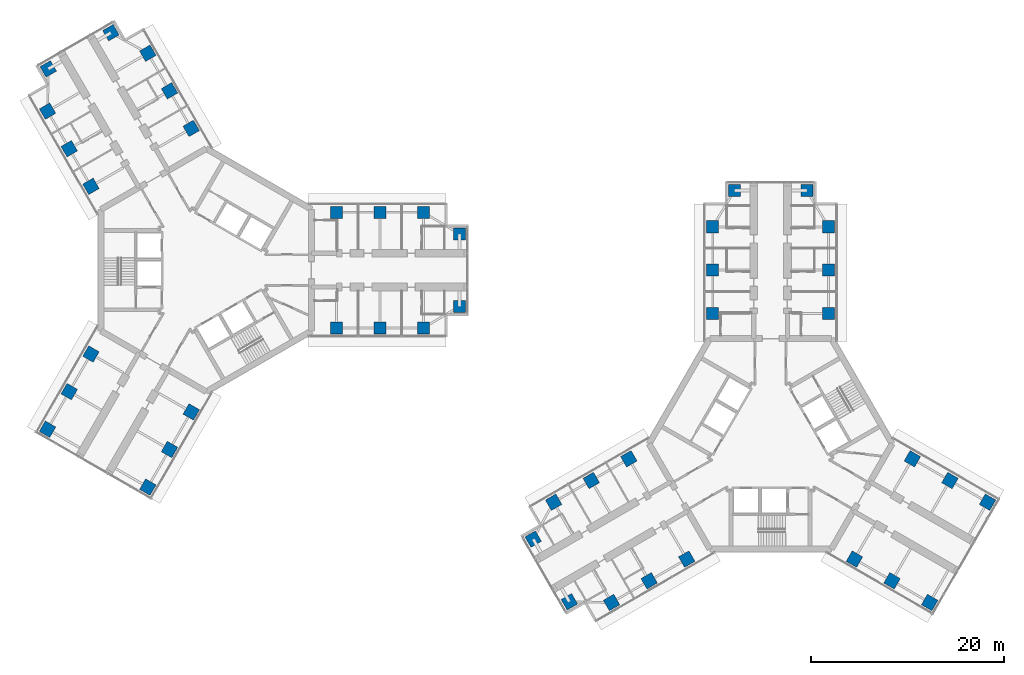
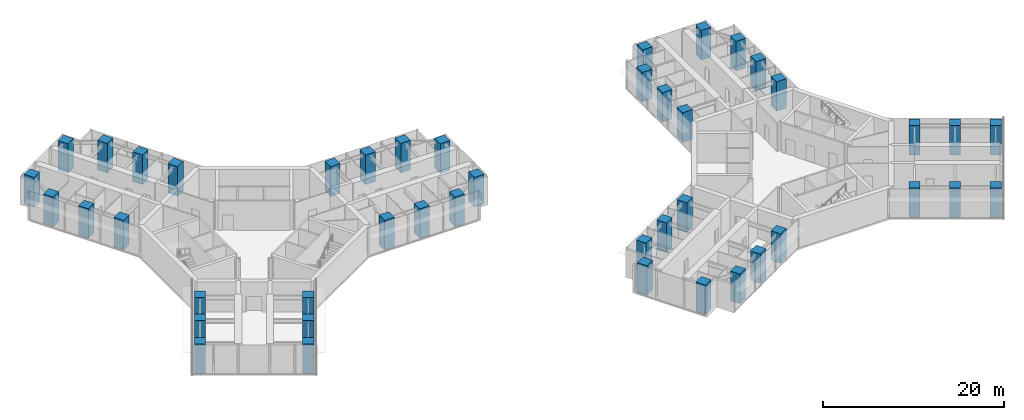
# One storey, part 1 of 23: 44 columns.
"""IFC4 building model written with IfcOpenShell, lengths in metres."""

import ifcopenshell
import ifcopenshell.guid

model = None  # the IFC model being written
_history = None  # IfcOwnerHistory: only IFC2X3 demands one
_inside = {}  # id of a spatial element -> (the spatial element, [elements in it])
_under = {}  # id of a project, library or spatial element -> (it, [spatial elements below it])
_declared = {}  # id of a project -> (the project, [libraries it declares])
_typed = {}  # id of a type object -> (the type object, [elements of that type])
_made_of = {}  # id of a material, layer set ... -> (it, [elements and type objects made of it])


def new_model(schema):
    """Start an empty IFC model of exactly this schema.

    Asked for "IFC4X3", IfcOpenShell would pick the latest addendum, in which some entities
    have other attributes; the version numbers below select the first issue.
    IFC2X3 requires an IfcOwnerHistory on every rooted entity: one is made here for all.
    """
    global model, _history
    if schema == "IFC4X3":
        model = ifcopenshell.file(schema_version=(4, 3, 0, 0))
    else:
        model = ifcopenshell.file(schema=schema)
    _inside.clear()
    _under.clear()
    _declared.clear()
    _typed.clear()
    _made_of.clear()
    _history = None
    if model.schema == "IFC2X3":
        org = make("IfcOrganization", Name="unknown")
        user = make(
            "IfcPersonAndOrganization",
            ThePerson=make("IfcPerson", FamilyName="unknown"),
            TheOrganization=org,
        )
        app = make(
            "IfcApplication",
            ApplicationDeveloper=org,
            Version="unknown",
            ApplicationFullName="unknown",
            ApplicationIdentifier="unknown",
        )
        _history = make(
            "IfcOwnerHistory",
            OwningUser=user,
            OwningApplication=app,
            ChangeAction="ADDED",
            CreationDate=0,
        )
    return model


def make(cls, **values):
    """One entity of the class cls with the attributes given. An attribute that is None is left unset."""
    return model.create_entity(
        cls, **{name: value for name, value in values.items() if value is not None}
    )


def rooted(cls, **values):
    """An entity with a GlobalId (a new one), such as an element, a storey or a relation."""
    return make(cls, GlobalId=ifcopenshell.guid.new(), OwnerHistory=_history, **values)


def si_unit(unit_type, name, prefix=None):
    """IfcSIUnit, for example si_unit("LENGTHUNIT", "METRE", prefix="MILLI")."""
    return make("IfcSIUnit", UnitType=unit_type, Prefix=prefix, Name=name)


def assignment(units):
    """IfcUnitAssignment: the units of a project."""
    return None if units is None else make("IfcUnitAssignment", Units=units)


def point(xyz):
    """IfcCartesianPoint."""
    return None if xyz is None else make("IfcCartesianPoint", Coordinates=xyz)


def direction(xyz):
    """IfcDirection."""
    return None if xyz is None else make("IfcDirection", DirectionRatios=xyz)


def frame(location, z_axis=None, x_axis=None):
    """IfcAxis2Placement3D, a coordinate frame: its origin and axes. An axis left out is left unset."""
    return make(
        "IfcAxis2Placement3D",
        Location=point(location),
        Axis=direction(z_axis),
        RefDirection=direction(x_axis),
    )


def frame_2d(location, x_axis=None):
    """IfcAxis2Placement2D, a coordinate frame in the plane: its origin and x axis."""
    return make(
        "IfcAxis2Placement2D", Location=point(location), RefDirection=direction(x_axis)
    )


def origin():
    """The frame at (0, 0, 0) with its axes left unset."""
    return frame((0.0, 0.0, 0.0))


def origin_2d():
    """The frame at (0, 0) in the plane with its x axis left unset."""
    return frame_2d((0.0, 0.0))


def place(relative_to, where):
    """IfcLocalPlacement: puts the frame where relative to a parent placement (None: the world)."""
    return make(
        "IfcLocalPlacement", PlacementRelTo=relative_to, RelativePlacement=where
    )


def context(
    kind, dimensions, precision=None, world=None, true_north=None, identifier=None
):
    """IfcGeometricRepresentationContext, for example the 3D "Model" context."""
    return make(
        "IfcGeometricRepresentationContext",
        ContextIdentifier=identifier,
        ContextType=kind,
        CoordinateSpaceDimension=dimensions,
        Precision=precision,
        WorldCoordinateSystem=world,
        TrueNorth=true_north,
    )


def subcontext(parent, identifier, kind, view, scale=None):
    """IfcGeometricRepresentationSubContext, for example "Body" below "Model"."""
    return make(
        "IfcGeometricRepresentationSubContext",
        ContextIdentifier=identifier,
        ContextType=kind,
        ParentContext=parent,
        TargetScale=scale,
        TargetView=view,
    )


def project(units=None, contexts=None):
    """IfcProject with its units and contexts."""
    return rooted(
        "IfcProject",
        Name="project",
        RepresentationContexts=contexts,
        UnitsInContext=assignment(units),
    )


def spatial(cls, under=None, at=None, **own):
    """A site, building, storey or space (cls), placed at a placement, below another one or the project."""
    s = rooted(cls, ObjectPlacement=at, **own)
    if under is not None:
        _under.setdefault(under.id(), (under, []))[1].append(s)
    return s


def profile(cls, at=None, kind="AREA", **sizes):
    """A parametric profile (cls). Its sizes go by their IFC names, for example OverallWidth=200.0."""
    return make(cls, ProfileType=kind, Position=at, **sizes)


def rectangle(**sizes):
    """IfcRectangleProfileDef."""
    return profile("IfcRectangleProfileDef", **sizes)


def extrude(swept, where, along, depth):
    """IfcExtrudedAreaSolid: the profile swept, set in the frame where, extruded along a direction by depth."""
    return make(
        "IfcExtrudedAreaSolid",
        SweptArea=swept,
        Position=where,
        ExtrudedDirection=direction(along),
        Depth=depth,
    )


def shape(context_of_items, identifier, shape_type, items):
    """IfcShapeRepresentation: the items that make up one representation, for example the "Body"."""
    return make(
        "IfcShapeRepresentation",
        ContextOfItems=context_of_items,
        RepresentationIdentifier=identifier,
        RepresentationType=shape_type,
        Items=items,
    )


def material(Name=None, Category=None):
    """IfcMaterial."""
    return make("IfcMaterial", Name=Name, Category=Category)


def material_profile(
    of_material, cross_section, Name=None, Category=None, Priority=None
):
    """IfcMaterialProfile: a cross section and its material."""
    return make(
        "IfcMaterialProfile",
        Name=Name,
        Material=of_material,
        Profile=cross_section,
        Priority=Priority,
        Category=Category,
    )


def profile_set(profiles, Name=None, composite=None):
    """IfcMaterialProfileSet."""
    return make(
        "IfcMaterialProfileSet",
        Name=Name,
        MaterialProfiles=profiles,
        CompositeProfile=composite,
    )


def made_of(thing, what):
    """Note that an element or type object is made of a material, layer set ...; save() writes the relation."""
    if what is not None:
        _made_of.setdefault(what.id(), (what, []))[1].append(thing)
    return thing


def type_object(cls, material=None, **own):
    """A type object (cls), such as IfcWallType, which elements share."""
    return made_of(rooted(cls, **own), material)


def element(
    cls,
    number,
    at=None,
    inside=None,
    cuts=None,
    type_object=None,
    material=None,
    context=None,
    identifier="Body",
    shape_type=None,
    held_by="IfcProductDefinitionShape",
    body=None,
    shapes=None,
    **own,
):
    """One element of the class cls, such as IfcWall. Its Tag is "e" and its number.

    at: its placement. inside: the storey or other place that contains it. cuts: it is an
    opening in that element (IfcRelVoidsElement). A single representation is given by context,
    identifier, shape_type and body (its items); several are given by shapes. held_by: the class
    of the entity that holds the representations. save() writes the other relations.
    """
    e = rooted(cls, Tag="e%d" % number, ObjectPlacement=at, **own)
    if body is not None:
        shapes = [shape(context, identifier, shape_type, body)]
    if shapes is not None:
        e.Representation = make(held_by, Representations=shapes)
    if inside is not None:
        _inside.setdefault(inside.id(), (inside, []))[1].append(e)
    if cuts is not None:
        rooted(
            "IfcRelVoidsElement", RelatingBuildingElement=cuts, RelatedOpeningElement=e
        )
    if type_object is not None:
        _typed.setdefault(type_object.id(), (type_object, []))[1].append(e)
    return made_of(e, material)


def aggregate(whole, parts):
    """IfcRelAggregates: a whole, such as a stair, and the parts it consists of."""
    return rooted("IfcRelAggregates", RelatingObject=whole, RelatedObjects=parts)


def save(model, path):
    """Write the relations noted so far, then the file.

    IfcRelAggregates (storeys below a building ...), IfcRelContainedInSpatialStructure (elements
    in a storey), IfcRelDefinesByType, IfcRelAssociatesMaterial and IfcRelDeclares: one each for
    every whole, place, type object, material and project.
    """
    for whole, parts in _under.values():
        aggregate(whole, parts)
    for where, things in _inside.values():
        rooted(
            "IfcRelContainedInSpatialStructure",
            RelatedElements=things,
            RelatingStructure=where,
        )
    for kind, things in _typed.values():
        rooted("IfcRelDefinesByType", RelatedObjects=things, RelatingType=kind)
    for what, things in _made_of.values():
        rooted("IfcRelAssociatesMaterial", RelatedObjects=things, RelatingMaterial=what)
    for by, libraries in _declared.values():
        rooted("IfcRelDeclares", RelatingContext=by, RelatedDefinitions=libraries)
    model.write(path)


model = new_model("IFC4")

# Units and contexts
model_context = context("Model", 3, precision=1e-05, world=origin(), true_north=direction((0.0, 1.0)))
body_context = subcontext(model_context, "Body", "Model", "MODEL_VIEW")
ifc_project = project(units=[si_unit("LENGTHUNIT", "METRE"), si_unit("AREAUNIT", "SQUARE_METRE"), si_unit("VOLUMEUNIT", "CUBIC_METRE"), si_unit("PLANEANGLEUNIT", "RADIAN"), si_unit("MASSUNIT", "GRAM", prefix="KILO")], contexts=[model_context])

# Site, building, storey
site_placement = place(None, origin())
site = spatial("IfcSite", under=ifc_project, at=site_placement, CompositionType="ELEMENT")
building_placement = place(site_placement, origin())
building = spatial("IfcBuilding", under=site, at=building_placement, Name="Upepo Twin Towers", CompositionType="ELEMENT")
storey_placement = place(building_placement, frame((0.0, 0.0, 149.5)))
storey = spatial("IfcBuildingStorey", under=building, at=storey_placement, Name="L36", CompositionType="ELEMENT", Elevation=149.5)

# Columns
ifc_material = material(Name="Concrete C60/75", Category="concrete")
ifc_material_profile = material_profile(ifc_material, rectangle(XDim=1.25, YDim=1.25, at=origin_2d()), Name="RC 1250x1250")
ifc_profile_set = profile_set([ifc_material_profile], Name="Concrete C60/75")
column_type = type_object("IfcColumnType", Name="Tower column RC 1250x1250", PredefinedType="COLUMN", material=ifc_profile_set)
for number, where, z_axis, x_axis, name in (
    (1, (13.5, 6.0, 0.0), (0.0, 0.0, 1.0), (1.0, 0.0, 0.0), "T1 column AL135"),
    (2, (13.5, -6.0, 0.0), (0.0, 0.0, 1.0), (1.0, 0.0, 0.0), "T1 column AR135"),
    (3, (18.0, 6.0, 0.0), (0.0, 0.0, 1.0), (1.0, 0.0, 0.0), "T1 column AL180"),
    (4, (18.0, -6.0, 0.0), (0.0, 0.0, 1.0), (1.0, 0.0, 0.0), "T1 column AR180"),
    (5, (22.5, 6.0, 0.0), (0.0, 0.0, 1.0), (1.0, 0.0, 0.0), "T1 column AL225"),
    (6, (22.5, -6.0, 0.0), (0.0, 0.0, 1.0), (1.0, 0.0, 0.0), "T1 column AR225"),
    (7, (26.25, 3.75, 0.0), (0.0, 0.0, 1.0), (1.0, 0.0, 0.0), "T1 column ALN"),
    (8, (26.25, -3.75, 0.0), (0.0, 0.0, 1.0), (1.0, 0.0, 0.0), "T1 column ARN"),
    (9, (-11.946044921875, 8.69140625, 0.0), (0.0, 0.0, 1.0), (0.866025403784, 0.5, 0.0), "T1 column BL135"),
    (10, (-1.553955078125, 14.69140625, 0.0), (0.0, 0.0, 1.0), (0.866025403784, 0.5, 0.0), "T1 column BR135"),
    (11, (-14.196044921875, 12.58837890625, 0.0), (0.0, 0.0, 1.0), (0.866025403784, 0.5, 0.0), "T1 column BL180"),
    (12, (-3.803955078125, 18.58837890625, 0.0), (0.0, 0.0, 1.0), (0.866025403784, 0.5, 0.0), "T1 column BR180"),
    (13, (-16.446044921875, 16.485595703125, 0.0), (0.0, 0.0, 1.0), (0.866025403784, 0.5, 0.0), "T1 column BL225"),
    (14, (-6.053955078125, 22.485595703125, 0.0), (0.0, 0.0, 1.0), (0.866025403784, 0.5, 0.0), "T1 column BR225"),
    (15, (-16.37255859375, 20.858154296875, 0.0), (0.0, 0.0, 1.0), (0.866025403784, 0.5, 0.0), "T1 column BLN"),
    (16, (-9.87744140625, 24.608154296875, 0.0), (0.0, 0.0, 1.0), (0.866025403784, 0.5, 0.0), "T1 column BRN"),
    (17, (-1.553955078125, -14.69140625, 0.0), (0.0, 0.0, 1.0), (0.5, 0.866025403784, 0.0), "T1 column CL135"),
    (18, (-11.946044921875, -8.69140625, 0.0), (0.0, 0.0, 1.0), (0.5, 0.866025403784, 0.0), "T1 column CR135"),
    (19, (-3.803955078125, -18.58837890625, 0.0), (0.0, 0.0, 1.0), (0.5, 0.866025403784, 0.0), "T1 column CL180"),
    (20, (-14.196044921875, -12.58837890625, 0.0), (0.0, 0.0, 1.0), (0.5, 0.866025403784, 0.0), "T1 column CR180"),
    (21, (-6.053955078125, -22.485595703125, 0.0), (0.0, 0.0, 1.0), (0.5, 0.866025403784, 0.0), "T1 column CL225"),
    (22, (-16.446044921875, -16.485595703125, 0.0), (0.0, 0.0, 1.0), (0.5, 0.866025403784, 0.0), "T1 column CR225"),
    (23, (52.5, -4.5, 0.0), (0.0, 0.0, 1.0), (1.0, 0.0, 0.0), "T2 column AL135"),
    (24, (64.5, -4.5, 0.0), (0.0, 0.0, 1.0), (1.0, 0.0, 0.0), "T2 column AR135"),
    (25, (52.5, 0.0, 0.0), (0.0, 0.0, 1.0), (1.0, 0.0, 0.0), "T2 column AL180"),
    (26, (64.5, 0.0, 0.0), (0.0, 0.0, 1.0), (1.0, 0.0, 0.0), "T2 column AR180"),
    (27, (52.5, 4.5, 0.0), (0.0, 0.0, 1.0), (1.0, 0.0, 0.0), "T2 column AL225"),
    (28, (64.5, 4.5, 0.0), (0.0, 0.0, 1.0), (1.0, 0.0, 0.0), "T2 column AR225"),
    (29, (54.75, 8.25, 0.0), (0.0, 0.0, 1.0), (1.0, 0.0, 0.0), "T2 column ALN"),
    (30, (62.25, 8.25, 0.0), (0.0, 0.0, 1.0), (1.0, 0.0, 0.0), "T2 column ARN"),
    (31, (49.80859375, -29.946044921875, 0.0), (0.0, 0.0, 1.0), (0.866025403784, 0.5, 0.0), "T2 column BL135"),
    (32, (43.80859375, -19.553955078125, 0.0), (0.0, 0.0, 1.0), (0.866025403784, 0.5, 0.0), "T2 column BR135"),
    (33, (45.91162109375, -32.196044921875, 0.0), (0.0, 0.0, 1.0), (0.866025403784, 0.5, 0.0), "T2 column BL180"),
    (34, (39.91162109375, -21.803955078125, 0.0), (0.0, 0.0, 1.0), (0.866025403784, 0.5, 0.0), "T2 column BR180"),
    (35, (42.014404296875, -34.446044921875, 0.0), (0.0, 0.0, 1.0), (0.866025403784, 0.5, 0.0), "T2 column BL225"),
    (36, (36.014404296875, -24.053955078125, 0.0), (0.0, 0.0, 1.0), (0.866025403784, 0.5, 0.0), "T2 column BR225"),
    (37, (37.641845703125, -34.37255859375, 0.0), (0.0, 0.0, 1.0), (0.866025403784, 0.5, 0.0), "T2 column BLN"),
    (38, (33.891845703125, -27.87744140625, 0.0), (0.0, 0.0, 1.0), (0.866025403784, 0.5, 0.0), "T2 column BRN"),
    (39, (73.19140625, -19.553955078125, 0.0), (0.0, 0.0, 1.0), (0.5, 0.866025403784, 0.0), "T2 column CL135"),
    (40, (67.19140625, -29.946044921875, 0.0), (0.0, 0.0, 1.0), (0.5, 0.866025403784, 0.0), "T2 column CR135"),
    (41, (77.08837890625, -21.803955078125, 0.0), (0.0, 0.0, 1.0), (0.5, 0.866025403784, 0.0), "T2 column CL180"),
    (42, (71.08837890625, -32.196044921875, 0.0), (0.0, 0.0, 1.0), (0.5, 0.866025403784, 0.0), "T2 column CR180"),
    (43, (80.985595703125, -24.053955078125, 0.0), (0.0, 0.0, 1.0), (0.5, 0.866025403784, 0.0), "T2 column CL225"),
    (44, (74.985595703125, -34.446044921875, 0.0), (0.0, 0.0, 1.0), (0.5, 0.866025403784, 0.0), "T2 column CR225"),
):
    element("IfcColumn", number, at=place(storey_placement, frame(where, z_axis=z_axis, x_axis=x_axis)), inside=storey, type_object=column_type, Name=name, PredefinedType="COLUMN", context=body_context, shape_type="SweptSolid", body=[
        extrude(rectangle(XDim=1.25, YDim=1.25, at=origin_2d()), origin(), (0.0, 0.0, 1.0), 4.0),
    ])

save(model, "model.ifc")
